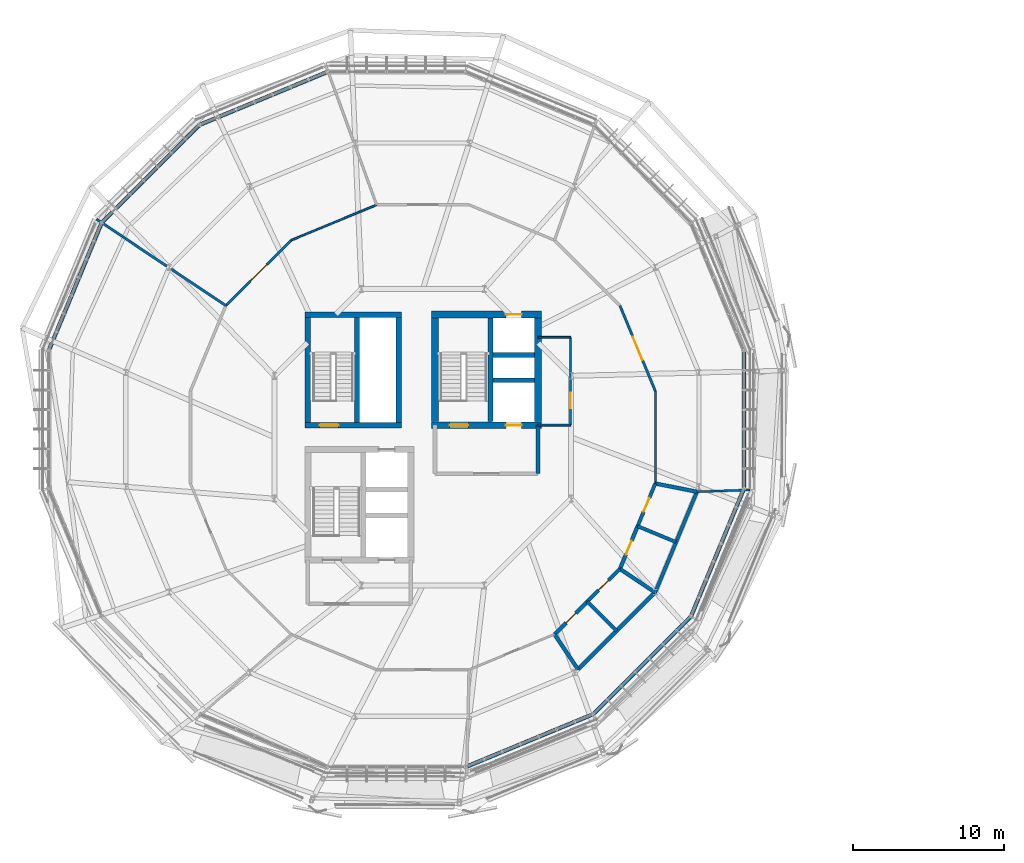
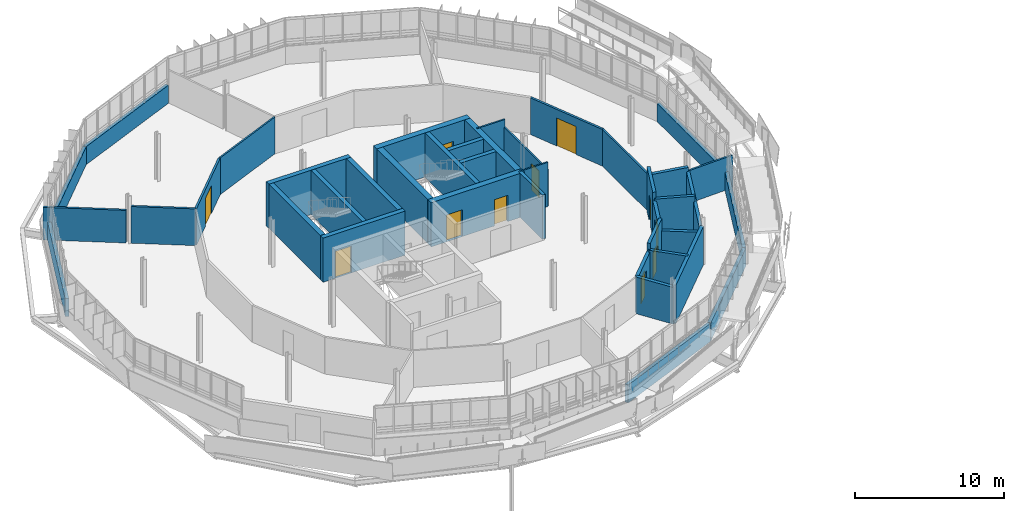
# One storey, part 30 of 38: 41 walls, 11 doors, 11 openings.
"""IFC4 building model written with IfcOpenShell, lengths in metres."""

from ifc_helpers import new_model, si_unit, derived_unit, direction, frame, frame_2d, origin, place, context, subcontext, project, spatial, rectangle, extrude, material, layer, layer_set, type_object, element, fill, save


model = new_model("IFC4")

# Units and contexts
model_context = context("Model", 3, precision=1e-05, world=origin(), true_north=direction((0.0, 1.0)))
body_context = subcontext(model_context, "Body", "Model", "MODEL_VIEW")
ifc_project = project(units=[si_unit("LENGTHUNIT", "METRE"), si_unit("AREAUNIT", "SQUARE_METRE"), si_unit("VOLUMEUNIT", "CUBIC_METRE"), si_unit("PLANEANGLEUNIT", "RADIAN"), si_unit("MASSUNIT", "GRAM", prefix="KILO"), derived_unit("THERMALTRANSMITTANCEUNIT", [(si_unit("MASSUNIT", "GRAM", prefix="KILO"), 1), (si_unit("TIMEUNIT", "SECOND"), -3), (si_unit("THERMODYNAMICTEMPERATUREUNIT", "KELVIN"), -1)])], contexts=[model_context])

# Site, building, storey
site_placement = place(None, origin())
site = spatial("IfcSite", under=ifc_project, at=site_placement, CompositionType="ELEMENT")
building_placement = place(site_placement, origin())
building = spatial("IfcBuilding", under=site, at=building_placement, Name="Makaiwela Harbour Ferry Terminal", CompositionType="ELEMENT")
storey_placement = place(building_placement, frame((0.0, 0.0, 17.699951171875)))
storey = spatial("IfcBuildingStorey", under=building, at=storey_placement, Name="L04", CompositionType="ELEMENT", Elevation=17.699951171875)

# Walls
ifc_material_1 = material(Name="Precast concrete f'c 40 MPa (6000 psi)", Category="concrete")
ifc_layer_1 = layer(ifc_material_1, 0.260009765625)
ifc_layer_set_1 = layer_set([ifc_layer_1], Name="Precast concrete f'c 40 MPa (6000 psi)")
wall_type_1 = type_object("IfcWallType", Name="ENV-WL-EXT260", PredefinedType="SOLIDWALL", material=ifc_layer_set_1)
for number, where, z_axis, x_axis, name in (
    (1, (31.457275390625, 91.708984375, 0.0), (0.0, 0.0, 1.0), (-0.9238744537, -0.382695693471, 0.0), "Drum Spandrel Backup Wall EW-L04-04"),
    (2, (23.028564453125, 88.205078125, 0.0), (0.0, 0.0, 1.0), (-0.707120239249, -0.707093322868, 0.0), "Drum Spandrel Backup Wall EW-L04-05"),
    (3, (16.58203125, 81.74267578125, 0.0), (0.0, 0.0, 1.0), (-0.382672718885, -0.923883970107, 0.0), "Drum Spandrel Backup Wall EW-L04-06"),
    (4, (40.642822265625, 45.8310546875, 0.0), (0.0, 0.0, 1.0), (0.923883970107, 0.382672718885, 0.0), "Drum Spandrel Backup Wall EW-L04-12"),
    (5, (49.071533203125, 49.334716796875, 0.0), (0.0, 0.0, 1.0), (0.707093322868, 0.707120239249, 0.0), "Drum Spandrel Backup Wall EW-L04-13"),
    (6, (55.517822265625, 55.79736328125, 0.0), (0.0, 0.0, 1.0), (0.382695693471, 0.9238744537, 0.0), "Drum Spandrel Backup Wall EW-L04-14"),
    (7, (59.00048828125, 64.23486328125, 0.0), (0.0, 0.0, 1.0), (0.0, 1.0, 0.0), "Drum Spandrel Backup Wall EW-L04-15"),
):
    element("IfcWall", number, at=place(storey_placement, frame(where, z_axis=z_axis, x_axis=x_axis)), inside=storey, type_object=wall_type_1, Name=name, PredefinedType="SOLIDWALL", context=body_context, shape_type="SweptSolid", body=[
        extrude(rectangle(XDim=9.0703125, YDim=0.260009765625, at=frame_2d((4.53515625, 0.0))), origin(), (0.0, 0.0, 1.0), 1.47998046875),
    ])

# Wall, opening, door
ifc_material_2 = material(Name="Fire-rated gypsum board on steel studs", Category="steel")
ifc_layer_2 = layer(ifc_material_2, 0.1650390625)
ifc_layer_set_2 = layer_set([ifc_layer_2], Name="Fire-rated gypsum board on steel studs")
wall_type_2 = type_object("IfcWallType", Name="INT-WL-FIR165", PredefinedType="PARTITIONING", material=ifc_layer_set_2)
wall_1_placement = place(storey_placement, frame((53.1494140625, 70.6533203125, 0.0), z_axis=(0.0, 0.0, 1.0), x_axis=(-0.382709614887, 0.923868686921, 0.0)))
wall_1 = element("IfcWall", 8, at=wall_1_placement, inside=storey, type_object=wall_type_2, Name="Interior Wall IW-0358", PredefinedType="PARTITIONING", context=body_context, shape_type="SweptSolid", body=[
    extrude(rectangle(XDim=6.106201171875, YDim=0.1650390625, at=frame_2d((3.05322265625, 0.0))), origin(), (0.0, 0.0, 1.0), 3.009033203125),
])
opening_1_placement = place(wall_1_placement, frame((2.228271484375, 0.0, 0.0)))
opening_1 = element("IfcOpeningElement", 9, at=opening_1_placement, cuts=wall_1, Name="Opening D-17", PredefinedType="OPENING", context=body_context, shape_type="SweptSolid", body=[
    extrude(rectangle(XDim=1.64990234375, YDim=2.300048828125, at=frame_2d((0.824951171875, 1.14990234375))), frame((0.0, 0.092529296875, 0.0), z_axis=(0.0, -1.0, 0.0), x_axis=(1.0, 0.0, 0.0)), (0.0, 0.0, 1.0), 0.18505859375),
])
ifc_material_3 = material(Name="Solid-core marine hardwood and painted steel frame", Category="steel")
door_type_1 = type_object("IfcDoorType", Name="INT-DR-DIN165", OperationType="NOTDEFINED", PredefinedType="DOOR", material=ifc_material_3)
door_1_placement = place(opening_1_placement, frame((1.64990234375, 0.0, 0.0), z_axis=(0.0, 0.0, 1.0), x_axis=(-1.0, 0.0, 0.0)))
door_1 = element("IfcDoor", 10, at=door_1_placement, inside=storey, type_object=door_type_1, Name="Door D-17", OperationType="DOUBLE_DOOR_SINGLE_SWING", OverallHeight=2.300048828125, OverallWidth=1.64990234375, PredefinedType="DOOR", context=body_context, shape_type="SweptSolid", body=[
    extrude(rectangle(XDim=1.64990234375, YDim=2.300048828125, at=frame_2d((0.824951171875, 1.14990234375))), frame((0.0, 0.02490234375, 0.0), z_axis=(0.0, -1.0, 0.0), x_axis=(1.0, 0.0, 0.0)), (0.0, 0.0, 1.0), 0.050048828125),
])
fill(opening_1, door_1)

# Walls
wall_2_placement = place(storey_placement, frame((24.78759765625, 76.294677734375, 0.0), z_axis=(0.0, 0.0, 1.0), x_axis=(-0.831461422944, 0.555582489065, 0.0)))
element("IfcWall", 11, at=wall_2_placement, inside=storey, type_object=wall_type_2, Name="Interior Wall IW-0387", PredefinedType="PARTITIONING", context=body_context, shape_type="SweptSolid", body=[
    extrude(rectangle(XDim=4.3408203125, YDim=0.1650390625, at=frame_2d((2.17041015625, 0.0))), origin(), (0.0, 0.0, 1.0), 3.009033203125),
])
wall_3_placement = place(storey_placement, frame((20.897216796875, 78.894287109375, 0.0), z_axis=(0.0, 0.0, 1.0), x_axis=(-0.83143792256, 0.555617657144, 0.0)))
element("IfcWall", 12, at=wall_3_placement, inside=storey, type_object=wall_type_2, Name="Interior Wall IW-0388", PredefinedType="PARTITIONING", context=body_context, shape_type="SweptSolid", body=[
    extrude(rectangle(XDim=5.586181640625, YDim=0.1650390625, at=frame_2d((2.79296875, 0.0))), origin(), (0.0, 0.0, 1.0), 2.675048828125),
])
ifc_layer_3 = layer(ifc_material_2, 0.239990234375)
ifc_layer_set_3 = layer_set([ifc_layer_3], Name="Fire-rated gypsum board on steel studs")
wall_type_3 = type_object("IfcWallType", Name="INT-WL-FIR240", PredefinedType="SOLIDWALL", material=ifc_layer_set_3)
wall_4_placement = place(storey_placement, frame((45.39990234375, 65.199951171875, 0.0), z_axis=(0.0, 0.0, 1.0), x_axis=(0.0, 1.0, 0.0)))
element("IfcWall", 13, at=wall_4_placement, inside=storey, type_object=wall_type_3, Name="Interior Wall IW-0043", PredefinedType="SOLIDWALL", context=body_context, shape_type="SweptSolid", body=[
    extrude(rectangle(XDim=3.199951171875, YDim=0.239990234375, at=frame_2d((1.60009765625, 0.0))), origin(), (0.0, 0.0, 1.0), 3.64013671875),
])

# Wall, opening, door
ifc_material_4 = material(Name="Moisture-resistant acoustic gypsum partition", Category="gypsum")
ifc_layer_4 = layer(ifc_material_4, 0.22998046875)
ifc_layer_set_4 = layer_set([ifc_layer_4], Name="Moisture-resistant acoustic gypsum partition")
wall_type_4 = type_object("IfcWallType", Name="INT-WL-PLM230", PredefinedType="PLUMBINGWALL", material=ifc_layer_set_4)
wall_5_placement = place(storey_placement, frame((48.653564453125, 56.746337890625, 0.0), z_axis=(0.0, 0.0, 1.0), x_axis=(0.707106781187, 0.707106781187, 0.0)))
wall_5 = element("IfcWall", 14, at=wall_5_placement, inside=storey, type_object=wall_type_4, Name="Interior Wall IW-0372", PredefinedType="PLUMBINGWALL", context=body_context, shape_type="SweptSolid", body=[
    extrude(rectangle(XDim=3.05322265625, YDim=0.22998046875, at=frame_2d((1.526611328125, 0.0))), origin(), (0.0, 0.0, 1.0), 3.64013671875),
])
opening_2_placement = place(wall_5_placement, frame((1.066650390625, 0.0, 0.0)))
opening_2 = element("IfcOpeningElement", 15, at=opening_2_placement, cuts=wall_5, Name="Opening D-11", PredefinedType="OPENING", context=body_context, shape_type="SweptSolid", body=[
    extrude(rectangle(XDim=0.919921875, YDim=2.10009765625, at=frame_2d((0.4599609375, 1.050048828125))), frame((0.0, 0.125, 0.0), z_axis=(0.0, -1.0, 0.0), x_axis=(1.0, 0.0, 0.0)), (0.0, 0.0, 1.0), 0.25),
])
door_type_2 = type_object("IfcDoorType", Name="INT-DR-WC092", OperationType="NOTDEFINED", PredefinedType="DOOR", material=ifc_material_3)
door_2_placement = place(opening_2_placement, frame((0.919921875, 0.0, 0.0), z_axis=(0.0, 0.0, 1.0), x_axis=(-1.0, 0.0, 0.0)))
door_2 = element("IfcDoor", 16, at=door_2_placement, inside=storey, type_object=door_type_2, Name="Door D-11", OperationType="SINGLE_SWING_LEFT", OverallHeight=2.10009765625, OverallWidth=0.919921875, PredefinedType="DOOR", context=body_context, shape_type="SweptSolid", body=[
    extrude(rectangle(XDim=0.919921875, YDim=2.10009765625, at=frame_2d((0.4599609375, 1.050048828125))), frame((0.0, 0.02490234375, 0.0), z_axis=(0.0, -1.0, 0.0), x_axis=(1.0, 0.0, 0.0)), (0.0, 0.0, 1.0), 0.050048828125),
])
fill(opening_2, door_2)

# Wall
wall_6_placement = place(storey_placement, frame((48.653564453125, 56.746337890625, 0.0), z_axis=(0.0, 0.0, 1.0), x_axis=(0.707106781187, -0.707106781187, 0.0)))
element("IfcWall", 17, at=wall_6_placement, inside=storey, type_object=wall_type_4, Name="Interior Wall IW-0374", PredefinedType="PLUMBINGWALL", context=body_context, shape_type="SweptSolid", body=[
    extrude(rectangle(XDim=2.746337890625, YDim=0.22998046875, at=frame_2d((1.373046875, 0.0))), origin(), (0.0, 0.0, 1.0), 3.149169921875),
])

# Wall, opening, door
wall_7_placement = place(storey_placement, frame((51.98095703125, 61.72607421875, 0.0), z_axis=(0.0, 0.0, 1.0), x_axis=(0.382695478721, 0.923874542655, 0.0)))
wall_7 = element("IfcWall", 18, at=wall_7_placement, inside=storey, type_object=wall_type_4, Name="Interior Wall IW-0377", PredefinedType="PLUMBINGWALL", context=body_context, shape_type="SweptSolid", body=[
    extrude(rectangle(XDim=3.05322265625, YDim=0.22998046875, at=frame_2d((1.526611328125, 0.0))), origin(), (0.0, 0.0, 1.0), 3.64013671875),
])
opening_3_placement = place(wall_7_placement, frame((1.03662109375, 0.0, 0.0)))
opening_3 = element("IfcOpeningElement", 19, at=opening_3_placement, cuts=wall_7, Name="Opening D-12", PredefinedType="OPENING", context=body_context, shape_type="SweptSolid", body=[
    extrude(rectangle(XDim=0.97998046875, YDim=2.14990234375, at=frame_2d((0.489990234375, 1.074951171875))), frame((0.0, 0.125, 0.0), z_axis=(0.0, -1.0, 0.0), x_axis=(1.0, 0.0, 0.0)), (0.0, 0.0, 1.0), 0.25),
])
door_type_3 = type_object("IfcDoorType", Name="INT-DR-WC098", OperationType="NOTDEFINED", PredefinedType="DOOR", material=ifc_material_3)
door_3_placement = place(opening_3_placement, frame((0.97998046875, 0.0, 0.0), z_axis=(0.0, 0.0, 1.0), x_axis=(-1.0, 0.0, 0.0)))
door_3 = element("IfcDoor", 20, at=door_3_placement, inside=storey, type_object=door_type_3, Name="Door D-12", OperationType="SINGLE_SWING_LEFT", OverallHeight=2.14990234375, OverallWidth=0.97998046875, PredefinedType="DOOR", context=body_context, shape_type="SweptSolid", body=[
    extrude(rectangle(XDim=0.97998046875, YDim=2.14990234375, at=frame_2d((0.489990234375, 1.074951171875))), frame((0.0, 0.02490234375, 0.0), z_axis=(0.0, -1.0, 0.0), x_axis=(1.0, 0.0, 0.0)), (0.0, 0.0, 1.0), 0.050048828125),
])
fill(opening_3, door_3)

# Walls
wall_8_placement = place(storey_placement, frame((53.140625, 57.349609375, 0.0), z_axis=(0.0, 0.0, 1.0), x_axis=(0.382683262556, 0.923879602849, 0.0)))
element("IfcWall", 21, at=wall_8_placement, inside=storey, type_object=wall_type_4, Name="Interior Wall IW-0378", PredefinedType="PLUMBINGWALL", context=body_context, shape_type="SweptSolid", body=[
    extrude(rectangle(XDim=7.198974609375, YDim=0.22998046875, at=frame_2d((3.599609375, 0.0))), origin(), (0.0, 0.0, 1.0), 2.675048828125),
])
wall_9_placement = place(storey_placement, frame((51.98095703125, 61.72607421875, 0.0), z_axis=(0.0, 0.0, 1.0), x_axis=(0.923895478672, -0.38264493266, 0.0)))
element("IfcWall", 22, at=wall_9_placement, inside=storey, type_object=wall_type_4, Name="Interior Wall IW-0379", PredefinedType="PLUMBINGWALL", context=body_context, shape_type="SweptSolid", body=[
    extrude(rectangle(XDim=2.74609375, YDim=0.22998046875, at=frame_2d((1.373046875, 0.0))), origin(), (0.0, 0.0, 1.0), 3.149169921875),
])

# Wall, opening, door
ifc_layer_5 = layer(ifc_material_4, 0.25)
ifc_layer_set_5 = layer_set([ifc_layer_5], Name="Moisture-resistant acoustic gypsum partition")
wall_type_5 = type_object("IfcWallType", Name="INT-WL-PLM250", PredefinedType="PLUMBINGWALL", material=ifc_layer_set_5)
wall_10_placement = place(storey_placement, frame((46.49462890625, 54.58740234375, 0.0), z_axis=(0.0, 0.0, 1.0), x_axis=(0.707106781187, 0.707106781187, 0.0)))
wall_10 = element("IfcWall", 23, at=wall_10_placement, inside=storey, type_object=wall_type_5, Name="Interior Wall IW-0371", PredefinedType="PLUMBINGWALL", context=body_context, shape_type="SweptSolid", body=[
    extrude(rectangle(XDim=3.05322265625, YDim=0.25, at=frame_2d((1.526611328125, 0.0))), origin(), (0.0, 0.0, 1.0), 3.009033203125),
])
opening_4_placement = place(wall_10_placement, frame((1.066650390625, 0.0, 0.0)))
opening_4 = element("IfcOpeningElement", 24, at=opening_4_placement, cuts=wall_10, Name="Opening D-11", PredefinedType="OPENING", context=body_context, shape_type="SweptSolid", body=[
    extrude(rectangle(XDim=0.919921875, YDim=2.10009765625, at=frame_2d((0.4599609375, 1.050048828125))), frame((0.0, 0.135009765625, 0.0), z_axis=(0.0, -1.0, 0.0), x_axis=(1.0, 0.0, 0.0)), (0.0, 0.0, 1.0), 0.27001953125),
])
door_4_placement = place(opening_4_placement, frame((0.919921875, 0.0, 0.0), z_axis=(0.0, 0.0, 1.0), x_axis=(-1.0, 0.0, 0.0)))
door_4 = element("IfcDoor", 25, at=door_4_placement, inside=storey, type_object=door_type_2, Name="Door D-11", OperationType="SINGLE_SWING_RIGHT", OverallHeight=2.10009765625, OverallWidth=0.919921875, PredefinedType="DOOR", context=body_context, shape_type="SweptSolid", body=[
    extrude(rectangle(XDim=0.919921875, YDim=2.10009765625, at=frame_2d((0.4599609375, 1.050048828125))), frame((0.0, 0.02490234375, 0.0), z_axis=(0.0, -1.0, 0.0), x_axis=(1.0, 0.0, 0.0)), (0.0, 0.0, 1.0), 0.050048828125),
])
fill(opening_4, door_4)

# Walls
wall_11_placement = place(storey_placement, frame((48.05029296875, 52.259521484375, 0.0), z_axis=(0.0, 0.0, 1.0), x_axis=(0.707123738387, 0.707089823579, 0.0)))
element("IfcWall", 26, at=wall_11_placement, inside=storey, type_object=wall_type_5, Name="Interior Wall IW-0373", PredefinedType="PLUMBINGWALL", context=body_context, shape_type="SweptSolid", body=[
    extrude(rectangle(XDim=7.19873046875, YDim=0.25, at=frame_2d((3.599365234375, 0.0))), origin(), (0.0, 0.0, 1.0), 3.149169921875),
])
wall_12_placement = place(storey_placement, frame((46.49462890625, 54.58740234375, 0.0), z_axis=(0.0, 0.0, 1.0), x_axis=(0.555625493009, -0.831432686102, 0.0)))
element("IfcWall", 27, at=wall_12_placement, inside=storey, type_object=wall_type_5, Name="Interior Wall IW-0375", PredefinedType="PLUMBINGWALL", context=body_context, shape_type="SweptSolid", body=[
    extrude(rectangle(XDim=2.7998046875, YDim=0.25, at=frame_2d((1.39990234375, 0.0))), origin(), (0.0, 0.0, 1.0), 3.009033203125),
])

# Wall, opening, door
wall_13_placement = place(storey_placement, frame((50.8125, 58.9052734375, 0.0), z_axis=(0.0, 0.0, 1.0), x_axis=(0.382695478721, 0.923874542655, 0.0)))
wall_13 = element("IfcWall", 28, at=wall_13_placement, inside=storey, type_object=wall_type_5, Name="Interior Wall IW-0376", PredefinedType="PLUMBINGWALL", context=body_context, shape_type="SweptSolid", body=[
    extrude(rectangle(XDim=3.05322265625, YDim=0.25, at=frame_2d((1.526611328125, 0.0))), origin(), (0.0, 0.0, 1.0), 3.009033203125),
])
opening_5_placement = place(wall_13_placement, frame((1.03662109375, 0.0, 0.0)))
opening_5 = element("IfcOpeningElement", 29, at=opening_5_placement, cuts=wall_13, Name="Opening D-12", PredefinedType="OPENING", context=body_context, shape_type="SweptSolid", body=[
    extrude(rectangle(XDim=0.97998046875, YDim=2.14990234375, at=frame_2d((0.489990234375, 1.074951171875))), frame((0.0, 0.135009765625, 0.0), z_axis=(0.0, -1.0, 0.0), x_axis=(1.0, 0.0, 0.0)), (0.0, 0.0, 1.0), 0.27001953125),
])
door_5_placement = place(opening_5_placement, frame((0.97998046875, 0.0, 0.0), z_axis=(0.0, 0.0, 1.0), x_axis=(-1.0, 0.0, 0.0)))
door_5 = element("IfcDoor", 30, at=door_5_placement, inside=storey, type_object=door_type_3, Name="Door D-12", OperationType="SINGLE_SWING_RIGHT", OverallHeight=2.14990234375, OverallWidth=0.97998046875, PredefinedType="DOOR", context=body_context, shape_type="SweptSolid", body=[
    extrude(rectangle(XDim=0.97998046875, YDim=2.14990234375, at=frame_2d((0.489990234375, 1.074951171875))), frame((0.0, 0.02490234375, 0.0), z_axis=(0.0, -1.0, 0.0), x_axis=(1.0, 0.0, 0.0)), (0.0, 0.0, 1.0), 0.050048828125),
])
fill(opening_5, door_5)

# Walls
wall_14_placement = place(storey_placement, frame((50.8125, 58.9052734375, 0.0), z_axis=(0.0, 0.0, 1.0), x_axis=(0.831459602906, -0.555585212848, 0.0)))
element("IfcWall", 31, at=wall_14_placement, inside=storey, type_object=wall_type_5, Name="Interior Wall IW-0380", PredefinedType="PLUMBINGWALL", context=body_context, shape_type="SweptSolid", body=[
    extrude(rectangle(XDim=2.800048828125, YDim=0.25, at=frame_2d((1.39990234375, 0.0))), origin(), (0.0, 0.0, 1.0), 2.675048828125),
])
wall_15_placement = place(storey_placement, frame((53.1494140625, 64.546875, 0.0), z_axis=(0.0, 0.0, 1.0), x_axis=(0.980774706367, -0.19514347376, 0.0)))
element("IfcWall", 32, at=wall_15_placement, inside=storey, type_object=wall_type_5, Name="Interior Wall IW-0381", PredefinedType="PLUMBINGWALL", context=body_context, shape_type="SweptSolid", body=[
    extrude(rectangle(XDim=2.7998046875, YDim=0.25, at=frame_2d((1.39990234375, 0.0))), origin(), (0.0, 0.0, 1.0), 3.009033203125),
])
ifc_layer_6 = layer(ifc_material_4, 0.1201171875)
ifc_layer_set_6 = layer_set([ifc_layer_6], Name="Moisture-resistant acoustic gypsum partition")
wall_type_6 = type_object("IfcWallType", Name="INT-WL-PRT120", PredefinedType="PARTITIONING", material=ifc_layer_set_6)
wall_16_placement = place(storey_placement, frame((34.746826171875, 82.94921875, 0.0), z_axis=(0.0, 0.0, 1.0), x_axis=(-0.92388867793, -0.382661352625, 0.0)))
element("IfcWall", 33, at=wall_16_placement, inside=storey, type_object=wall_type_6, Name="Interior Wall IW-0362", PredefinedType="PARTITIONING", context=body_context, shape_type="SweptSolid", body=[
    extrude(rectangle(XDim=6.1064453125, YDim=0.1201171875, at=frame_2d((3.05322265625, 0.0))), origin(), (0.0, 0.0, 1.0), 3.009033203125),
])
wall_17_placement = place(storey_placement, frame((45.39990234375, 68.39990234375, 0.0), z_axis=(0.0, 0.0, 1.0), x_axis=(1.0, 0.0, 0.0)))
element("IfcWall", 34, at=wall_17_placement, inside=storey, type_object=wall_type_6, Name="Interior Wall IW-0394", PredefinedType="PARTITIONING", context=body_context, shape_type="SweptSolid", body=[
    extrude(rectangle(XDim=2.150146484375, YDim=0.1201171875, at=frame_2d((1.0751953125, 0.0))), origin(), (0.0, 0.0, 1.0), 3.64013671875),
])

# Wall, opening, door
wall_18_placement = place(storey_placement, frame((47.550048828125, 68.39990234375, 0.0), z_axis=(0.0, 0.0, 1.0), x_axis=(0.0, 1.0, 0.0)))
wall_18 = element("IfcWall", 35, at=wall_18_placement, inside=storey, type_object=wall_type_6, Name="Interior Wall IW-0395", PredefinedType="PARTITIONING", context=body_context, shape_type="SweptSolid", body=[
    extrude(rectangle(XDim=5.800048828125, YDim=0.1201171875, at=frame_2d((2.89990234375, 0.0))), origin(), (0.0, 0.0, 1.0), 3.009033203125),
])
opening_6_placement = place(wall_18_placement, frame((1.114013671875, 0.0, 0.0)))
opening_6 = element("IfcOpeningElement", 36, at=opening_6_placement, cuts=wall_18, Name="Opening D-13", PredefinedType="OPENING", context=body_context, shape_type="SweptSolid", body=[
    extrude(rectangle(XDim=1.02001953125, YDim=2.199951171875, at=frame_2d((0.510009765625, 1.10009765625))), frame((0.0, 0.070068359375, 0.0), z_axis=(0.0, -1.0, 0.0), x_axis=(1.0, 0.0, 0.0)), (0.0, 0.0, 1.0), 0.14013671875),
])
door_type_4 = type_object("IfcDoorType", Name="INT-DR-OFF102", OperationType="NOTDEFINED", PredefinedType="DOOR", material=ifc_material_3)
door_6_placement = place(opening_6_placement, origin())
door_6 = element("IfcDoor", 37, at=door_6_placement, inside=storey, type_object=door_type_4, Name="Door D-13", OperationType="SINGLE_SWING_RIGHT", OverallHeight=2.199951171875, OverallWidth=1.02001953125, PredefinedType="DOOR", context=body_context, shape_type="SweptSolid", body=[
    extrude(rectangle(XDim=1.02001953125, YDim=2.199951171875, at=frame_2d((0.510009765625, 1.10009765625))), frame((0.0, 0.02490234375, 0.0), z_axis=(0.0, -1.0, 0.0), x_axis=(1.0, 0.0, 0.0)), (0.0, 0.0, 1.0), 0.050048828125),
])
fill(opening_6, door_6)

# Walls
wall_19_placement = place(storey_placement, frame((47.550048828125, 74.199951171875, 0.0), z_axis=(0.0, 0.0, 1.0), x_axis=(-1.0, 0.0, 0.0)))
element("IfcWall", 38, at=wall_19_placement, inside=storey, type_object=wall_type_6, Name="Interior Wall IW-0396", PredefinedType="PARTITIONING", context=body_context, shape_type="SweptSolid", body=[
    extrude(rectangle(XDim=2.150146484375, YDim=0.1201171875, at=frame_2d((1.0751953125, 0.0))), origin(), (0.0, 0.0, 1.0), 3.64013671875),
])
ifc_layer_7 = layer(ifc_material_4, 0.139892578125)
ifc_layer_set_7 = layer_set([ifc_layer_7], Name="Moisture-resistant acoustic gypsum partition")
wall_type_7 = type_object("IfcWallType", Name="INT-WL-PRT140", PredefinedType="PARTITIONING", material=ifc_layer_set_7)
wall_20_placement = place(storey_placement, frame((53.1494140625, 64.546875, 0.0), z_axis=(0.0, 0.0, 1.0), x_axis=(0.0, 1.0, 0.0)))
element("IfcWall", 39, at=wall_20_placement, inside=storey, type_object=wall_type_7, Name="Interior Wall IW-0382", PredefinedType="PARTITIONING", context=body_context, shape_type="SweptSolid", body=[
    extrude(rectangle(XDim=6.1064453125, YDim=0.139892578125, at=frame_2d((3.05322265625, 0.0))), origin(), (0.0, 0.0, 1.0), 3.009033203125),
])
wall_21_placement = place(storey_placement, frame((55.8955078125, 64.00048828125, 0.0), z_axis=(0.0, 0.0, 1.0), x_axis=(0.999370365126, 0.035480604679, 0.0)))
element("IfcWall", 40, at=wall_21_placement, inside=storey, type_object=wall_type_7, Name="Interior Wall IW-0393", PredefinedType="PARTITIONING", context=body_context, shape_type="SweptSolid", body=[
    extrude(rectangle(XDim=3.50927734375, YDim=0.139892578125, at=frame_2d((1.754638671875, 0.0))), origin(), (0.0, 0.0, 1.0), 2.675048828125),
])

# Wall, opening, door
ifc_layer_8 = layer(ifc_material_4, 0.14990234375)
ifc_layer_set_8 = layer_set([ifc_layer_8], Name="Moisture-resistant acoustic gypsum partition")
wall_type_8 = type_object("IfcWallType", Name="INT-WL-PRT150", PredefinedType="PARTITIONING", material=ifc_layer_set_8)
wall_22_placement = place(storey_placement, frame((29.105224609375, 80.612548828125, 0.0), z_axis=(0.0, 0.0, 1.0), x_axis=(-0.707086789759, -0.707126772049, 0.0)))
wall_22 = element("IfcWall", 41, at=wall_22_placement, inside=storey, type_object=wall_type_8, Name="Interior Wall IW-0363", PredefinedType="PARTITIONING", context=body_context, shape_type="SweptSolid", body=[
    extrude(rectangle(XDim=6.106201171875, YDim=0.14990234375, at=frame_2d((3.05322265625, 0.0))), origin(), (0.0, 0.0, 1.0), 3.009033203125),
])
opening_7_placement = place(wall_22_placement, frame((2.278076171875, 0.0, 0.0)))
opening_7 = element("IfcOpeningElement", 42, at=opening_7_placement, cuts=wall_22, Name="Opening D-21", PredefinedType="OPENING", context=body_context, shape_type="SweptSolid", body=[
    extrude(rectangle(XDim=1.550048828125, YDim=2.300048828125, at=frame_2d((0.77490234375, 1.14990234375))), frame((0.0, 0.0849609375, 0.0), z_axis=(0.0, -1.0, 0.0), x_axis=(1.0, 0.0, 0.0)), (0.0, 0.0, 1.0), 0.169921875),
])
door_type_5 = type_object("IfcDoorType", Name="INT-DR-VIP155", OperationType="NOTDEFINED", PredefinedType="DOOR", material=ifc_material_3)
door_7_placement = place(opening_7_placement, frame((1.550048828125, 0.0, 0.0), z_axis=(0.0, 0.0, 1.0), x_axis=(-1.0, 0.0, 0.0)))
door_7 = element("IfcDoor", 43, at=door_7_placement, inside=storey, type_object=door_type_5, Name="Door D-21", OperationType="DOUBLE_DOOR_SINGLE_SWING", OverallHeight=2.300048828125, OverallWidth=1.550048828125, PredefinedType="DOOR", context=body_context, shape_type="SweptSolid", body=[
    extrude(rectangle(XDim=1.550048828125, YDim=2.300048828125, at=frame_2d((0.77490234375, 1.14990234375))), frame((0.0, 0.02490234375, 0.0), z_axis=(0.0, -1.0, 0.0), x_axis=(1.0, 0.0, 0.0)), (0.0, 0.0, 1.0), 0.050048828125),
])
fill(opening_7, door_7)

# Walls
ifc_material_5 = material(Name="Concrete f'c 45 MPa (6500 psi)", Category="concrete")
ifc_layer_9 = layer(ifc_material_5, 0.320068359375)
ifc_layer_set_9 = layer_set([ifc_layer_9], Name="Concrete f'c 45 MPa (6500 psi)")
wall_type_9 = type_object("IfcWallType", Name="INT-WL-SHR320", PredefinedType="SHEAR", material=ifc_layer_set_9)
wall_23_placement = place(storey_placement, frame((42.27197265625, 68.635009765625, 0.0), z_axis=(0.0, 0.0, 1.0), x_axis=(0.0, 1.0, 0.0)))
element("IfcWall", 44, at=wall_23_placement, inside=storey, type_object=wall_type_9, Name="Interior Wall IW-0048", PredefinedType="SHEAR", context=body_context, shape_type="SweptSolid", body=[
    extrude(rectangle(XDim=6.830078125, YDim=0.320068359375, at=frame_2d((3.4150390625, 0.0))), origin(), (0.0, 0.0, 1.0), 3.6201171875),
])
for number, where, z_axis, x_axis, name in (
    (45, (42.43701171875, 71.364990234375, 0.0), (0.0, 0.0, 1.0), (1.0, 0.0, 0.0), "Interior Wall IW-0049"),
    (46, (42.43701171875, 73.034912109375, 0.0), (0.0, 0.0, 1.0), (1.0, 0.0, 0.0), "Interior Wall IW-0050"),
):
    element("IfcWall", number, at=place(storey_placement, frame(where, z_axis=z_axis, x_axis=x_axis)), inside=storey, type_object=wall_type_9, Name=name, PredefinedType="SHEAR", context=body_context, shape_type="SweptSolid", body=[
        extrude(rectangle(XDim=2.73291015625, YDim=0.320068359375, at=frame_2d((1.366455078125, 0.0))), origin(), (0.0, 0.0, 1.0), 3.6201171875),
    ])
wall_24_placement = place(storey_placement, frame((33.43994140625, 68.590087890625, 0.0), z_axis=(0.0, 0.0, 1.0), x_axis=(0.0, 1.0, 0.0)))
element("IfcWall", 47, at=wall_24_placement, inside=storey, type_object=wall_type_9, Name="Interior Wall IW-0156", PredefinedType="SHEAR", context=body_context, shape_type="SweptSolid", body=[
    extrude(rectangle(XDim=6.919921875, YDim=0.320068359375, at=frame_2d((3.4599609375, 0.0))), origin(), (0.0, 0.0, 1.0), 3.6201171875),
])

# Wall, opening, door
ifc_layer_10 = layer(ifc_material_5, 0.360107421875)
ifc_layer_set_10 = layer_set([ifc_layer_10], Name="Concrete f'c 45 MPa (6500 psi)")
wall_type_10 = type_object("IfcWallType", Name="INT-WL-SHR360", PredefinedType="SHEAR", material=ifc_layer_set_10)
wall_25_placement = place(storey_placement, frame((30.02001953125, 68.39990234375, 0.0), z_axis=(0.0, 0.0, 1.0), x_axis=(1.0, 0.0, 0.0)))
wall_25 = element("IfcWall", 48, at=wall_25_placement, inside=storey, type_object=wall_type_10, Name="Interior Wall IW-0152", PredefinedType="SHEAR", context=body_context, shape_type="SweptSolid", body=[
    extrude(rectangle(XDim=6.35986328125, YDim=0.360107421875, at=frame_2d((3.179931640625, 0.0))), origin(), (0.0, 0.0, 1.0), 3.6201171875),
])
opening_8_placement = place(wall_25_placement, frame((0.965087890625, 0.0, 0.0)))
opening_8 = element("IfcOpeningElement", 49, at=opening_8_placement, cuts=wall_25, Name="Opening D-02", PredefinedType="OPENING", context=body_context, shape_type="SweptSolid", body=[
    extrude(rectangle(XDim=1.25, YDim=2.199951171875, at=frame_2d((0.625, 1.10009765625))), frame((0.0, 0.18994140625, 0.0), z_axis=(0.0, -1.0, 0.0), x_axis=(1.0, 0.0, 0.0)), (0.0, 0.0, 1.0), 0.380126953125),
])
ifc_material_6 = material(Name="Insulated galvanised fire-rated steel leaf and frame", Category="steel")
door_type_6 = type_object("IfcDoorType", Name="INT-DR-ST125", OperationType="NOTDEFINED", PredefinedType="DOOR", material=ifc_material_6)
door_8_placement = place(opening_8_placement, frame((1.25, 0.0, 0.0), z_axis=(0.0, 0.0, 1.0), x_axis=(-1.0, 0.0, 0.0)))
door_8 = element("IfcDoor", 50, at=door_8_placement, inside=storey, type_object=door_type_6, Name="Door D-02", OperationType="SINGLE_SWING_RIGHT", OverallHeight=2.199951171875, OverallWidth=1.25, PredefinedType="DOOR", context=body_context, shape_type="SweptSolid", body=[
    extrude(rectangle(XDim=1.25, YDim=2.199951171875, at=frame_2d((0.625, 1.10009765625))), frame((0.0, 0.02490234375, 0.0), z_axis=(0.0, -1.0, 0.0), x_axis=(1.0, 0.0, 0.0)), (0.0, 0.0, 1.0), 0.050048828125),
])
fill(opening_8, door_8)

# Walls
wall_26_placement = place(storey_placement, frame((30.02001953125, 75.699951171875, 0.0), z_axis=(0.0, 0.0, 1.0), x_axis=(1.0, 0.0, 0.0)))
element("IfcWall", 51, at=wall_26_placement, inside=storey, type_object=wall_type_10, Name="Interior Wall IW-0153", PredefinedType="SHEAR", context=body_context, shape_type="SweptSolid", body=[
    extrude(rectangle(XDim=6.35986328125, YDim=0.360107421875, at=frame_2d((3.179931640625, 0.0))), origin(), (0.0, 0.0, 1.0), 3.6201171875),
])
for number, where, z_axis, x_axis, name in (
    (52, (30.199951171875, 68.590087890625, 0.0), (0.0, 0.0, 1.0), (0.0, 1.0, 0.0), "Interior Wall IW-0154"),
    (53, (36.199951171875, 68.590087890625, 0.0), (0.0, 0.0, 1.0), (0.0, 1.0, 0.0), "Interior Wall IW-0155"),
):
    element("IfcWall", number, at=place(storey_placement, frame(where, z_axis=z_axis, x_axis=x_axis)), inside=storey, type_object=wall_type_10, Name=name, PredefinedType="SHEAR", context=body_context, shape_type="SweptSolid", body=[
        extrude(rectangle(XDim=6.919921875, YDim=0.360107421875, at=frame_2d((3.4599609375, 0.0))), origin(), (0.0, 0.0, 1.0), 3.6201171875),
    ])

# Wall, openings, doors
ifc_layer_11 = layer(ifc_material_5, 0.449951171875)
ifc_layer_set_11 = layer_set([ifc_layer_11], Name="Concrete f'c 45 MPa (6500 psi)")
wall_type_11 = type_object("IfcWallType", Name="INT-WL-SHR450", PredefinedType="SHEAR", material=ifc_layer_set_11)
wall_27_placement = place(storey_placement, frame((38.375, 68.39990234375, 0.0), z_axis=(0.0, 0.0, 1.0), x_axis=(1.0, 0.0, 0.0)))
wall_27 = element("IfcWall", 54, at=wall_27_placement, inside=storey, type_object=wall_type_11, Name="Interior Wall IW-0044", PredefinedType="SHEAR", context=body_context, shape_type="SweptSolid", body=[
    extrude(rectangle(XDim=7.25, YDim=0.449951171875, at=frame_2d((3.625, 0.0))), origin(), (0.0, 0.0, 1.0), 3.6201171875),
])
opening_9_placement = place(wall_27_placement, frame((1.1875, 0.0, 0.0)))
opening_9 = element("IfcOpeningElement", 55, at=opening_9_placement, cuts=wall_27, Name="Opening D-02", PredefinedType="OPENING", context=body_context, shape_type="SweptSolid", body=[
    extrude(rectangle(XDim=1.25, YDim=2.199951171875, at=frame_2d((0.625, 1.10009765625))), frame((0.0, 0.23486328125, 0.0), z_axis=(0.0, -1.0, 0.0), x_axis=(1.0, 0.0, 0.0)), (0.0, 0.0, 1.0), 0.469970703125),
])
opening_10_placement = place(wall_27_placement, frame((4.90380859375, 0.0, 0.0)))
opening_10 = element("IfcOpeningElement", 56, at=opening_10_placement, cuts=wall_27, Name="Opening LD-01", PredefinedType="OPENING", context=body_context, shape_type="SweptSolid", body=[
    extrude(rectangle(XDim=1.050048828125, YDim=2.14990234375, at=frame_2d((0.52490234375, 1.074951171875))), frame((0.0, 0.23486328125, 0.0), z_axis=(0.0, -1.0, 0.0), x_axis=(1.0, 0.0, 0.0)), (0.0, 0.0, 1.0), 0.469970703125),
])
ifc_material_7 = material(Name="Marine grade 316L brushed stainless steel", Category="steel")
door_type_7 = type_object("IfcDoorType", Name="INT-DR-LD105", OperationType="NOTDEFINED", PredefinedType="DOOR", material=ifc_material_7)
door_9_placement = place(opening_10_placement, frame((1.050048828125, 0.0, 0.0), z_axis=(0.0, 0.0, 1.0), x_axis=(-1.0, 0.0, 0.0)))
door_9 = element("IfcDoor", 57, at=door_9_placement, inside=storey, type_object=door_type_7, Name="Door LD-01", OperationType="DOUBLE_DOOR_SLIDING", OverallHeight=2.14990234375, OverallWidth=1.050048828125, PredefinedType="DOOR", context=body_context, shape_type="SweptSolid", body=[
    extrude(rectangle(XDim=1.050048828125, YDim=2.14990234375, at=frame_2d((0.52490234375, 1.074951171875))), frame((0.0, 0.02490234375, 0.0), z_axis=(0.0, -1.0, 0.0), x_axis=(1.0, 0.0, 0.0)), (0.0, 0.0, 1.0), 0.050048828125),
])
fill(opening_10, door_9)
door_10_placement = place(opening_9_placement, frame((1.25, 0.0, 0.0), z_axis=(0.0, 0.0, 1.0), x_axis=(-1.0, 0.0, 0.0)))
door_10 = element("IfcDoor", 58, at=door_10_placement, inside=storey, type_object=door_type_6, Name="Door D-02", OperationType="SINGLE_SWING_LEFT", OverallHeight=2.199951171875, OverallWidth=1.25, PredefinedType="DOOR", context=body_context, shape_type="SweptSolid", body=[
    extrude(rectangle(XDim=1.25, YDim=2.199951171875, at=frame_2d((0.625, 1.10009765625))), frame((0.0, 0.02490234375, 0.0), z_axis=(0.0, -1.0, 0.0), x_axis=(1.0, 0.0, 0.0)), (0.0, 0.0, 1.0), 0.050048828125),
])
fill(opening_9, door_10)

# Wall, opening, door
wall_28_placement = place(storey_placement, frame((38.375, 75.699951171875, 0.0), z_axis=(0.0, 0.0, 1.0), x_axis=(1.0, 0.0, 0.0)))
wall_28 = element("IfcWall", 59, at=wall_28_placement, inside=storey, type_object=wall_type_11, Name="Interior Wall IW-0045", PredefinedType="SHEAR", context=body_context, shape_type="SweptSolid", body=[
    extrude(rectangle(XDim=7.25, YDim=0.449951171875, at=frame_2d((3.625, 0.0))), origin(), (0.0, 0.0, 1.0), 3.6201171875),
])
opening_11_placement = place(wall_28_placement, frame((4.90380859375, 0.0, 0.0)))
opening_11 = element("IfcOpeningElement", 60, at=opening_11_placement, cuts=wall_28, Name="Opening LD-01", PredefinedType="OPENING", context=body_context, shape_type="SweptSolid", body=[
    extrude(rectangle(XDim=1.050048828125, YDim=2.14990234375, at=frame_2d((0.52490234375, 1.074951171875))), frame((0.0, 0.23486328125, 0.0), z_axis=(0.0, -1.0, 0.0), x_axis=(1.0, 0.0, 0.0)), (0.0, 0.0, 1.0), 0.469970703125),
])
door_11_placement = place(opening_11_placement, origin())
door_11 = element("IfcDoor", 61, at=door_11_placement, inside=storey, type_object=door_type_7, Name="Door LD-01", OperationType="DOUBLE_DOOR_SLIDING", OverallHeight=2.14990234375, OverallWidth=1.050048828125, PredefinedType="DOOR", context=body_context, shape_type="SweptSolid", body=[
    extrude(rectangle(XDim=1.050048828125, YDim=2.14990234375, at=frame_2d((0.52490234375, 1.074951171875))), frame((0.0, 0.02490234375, 0.0), z_axis=(0.0, -1.0, 0.0), x_axis=(1.0, 0.0, 0.0)), (0.0, 0.0, 1.0), 0.050048828125),
])
fill(opening_11, door_11)

# Walls
for number, where, z_axis, x_axis, name in (
    (62, (38.60009765625, 68.635009765625, 0.0), (0.0, 0.0, 1.0), (0.0, 1.0, 0.0), "Interior Wall IW-0046"),
    (63, (45.39990234375, 68.635009765625, 0.0), (0.0, 0.0, 1.0), (0.0, 1.0, 0.0), "Interior Wall IW-0047"),
):
    element("IfcWall", number, at=place(storey_placement, frame(where, z_axis=z_axis, x_axis=x_axis)), inside=storey, type_object=wall_type_11, Name=name, PredefinedType="SHEAR", context=body_context, shape_type="SweptSolid", body=[
        extrude(rectangle(XDim=6.830078125, YDim=0.449951171875, at=frame_2d((3.4150390625, 0.0))), origin(), (0.0, 0.0, 1.0), 3.6201171875),
    ])

save(model, "model.ifc")
